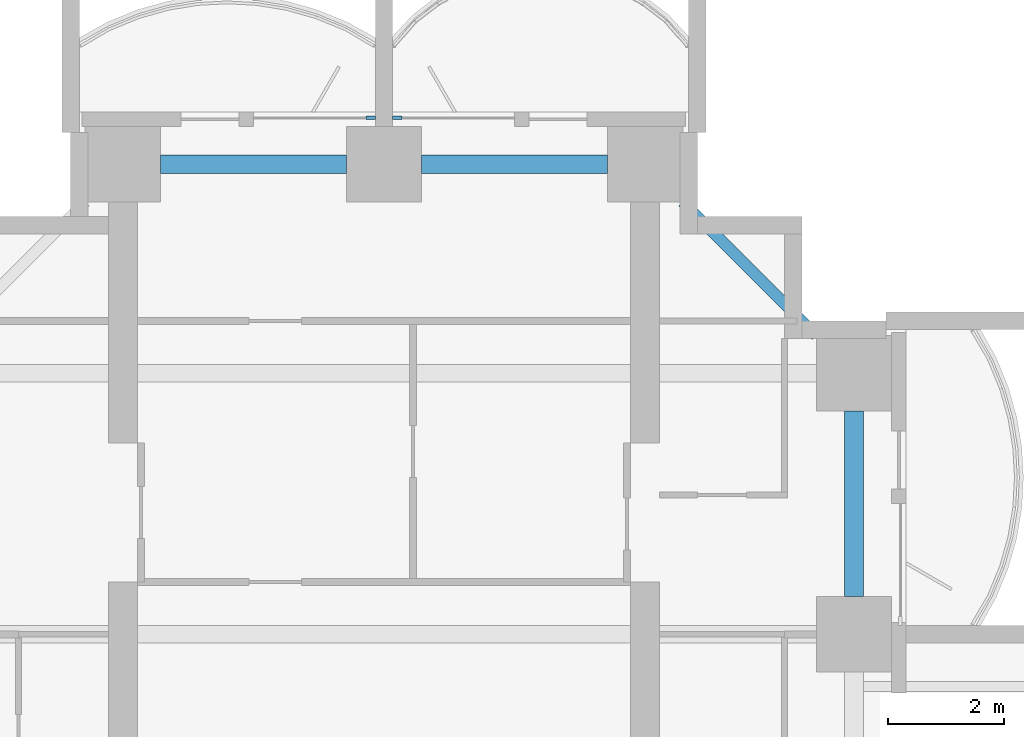
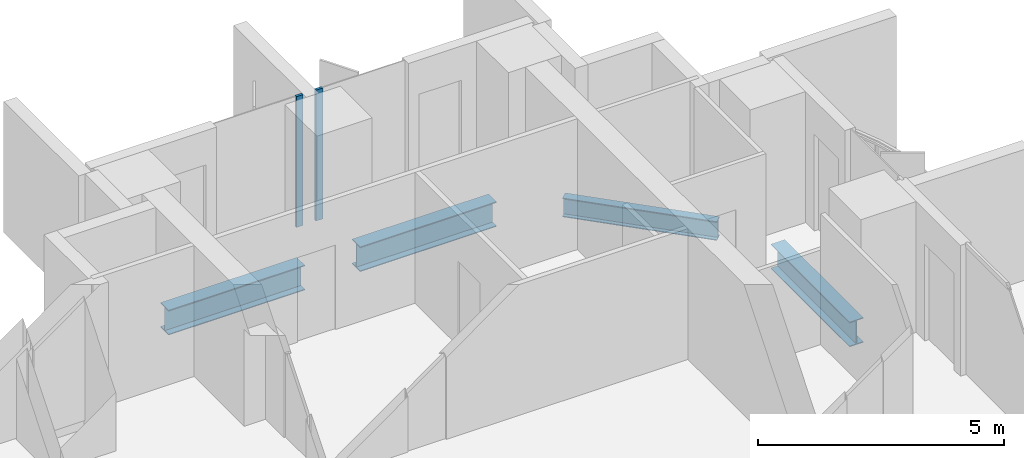
# One storey, part 8 of 23: 4 beams, 2 members, 2 elements without a shape of their own.
"""IFC4 building model written with IfcOpenShell, lengths in metres."""

from ifc_helpers import new_model, si_unit, direction, frame, origin, origin_2d, place, context, subcontext, project, spatial, rectangle, i_section, extrude, material, material_profile, profile_set, type_object, element, aggregate, save


model = new_model("IFC4")

# Units and contexts
model_context = context("Model", 3, precision=1e-05, world=origin(), true_north=direction((0.0, 1.0)))
body_context = subcontext(model_context, "Body", "Model", "MODEL_VIEW")
ifc_project = project(units=[si_unit("LENGTHUNIT", "METRE"), si_unit("AREAUNIT", "SQUARE_METRE"), si_unit("VOLUMEUNIT", "CUBIC_METRE"), si_unit("PLANEANGLEUNIT", "RADIAN"), si_unit("MASSUNIT", "GRAM", prefix="KILO")], contexts=[model_context])

# Site, building, storey
site_placement = place(None, origin())
site = spatial("IfcSite", under=ifc_project, at=site_placement, CompositionType="ELEMENT")
building_placement = place(site_placement, origin())
building = spatial("IfcBuilding", under=site, at=building_placement, Name="Perihelion Cross Residences", CompositionType="ELEMENT")
storey_placement = place(building_placement, frame((0.0, 0.0, 61.0)))
storey = spatial("IfcBuildingStorey", under=building, at=storey_placement, Name="L12", CompositionType="ELEMENT", Elevation=61.0)

# Curtain wall, member
ifc_material_1 = material(Name="Bronze anodised aluminium, tinted glazing", Category="aluminium")
curtain_wall_type = type_object("IfcCurtainWallType", Name="CW1", PredefinedType="NOTDEFINED", material=ifc_material_1)
curtain_wall_1_placement = place(storey_placement, origin())
curtain_wall_1 = element("IfcCurtainWall", 1, at=curtain_wall_1_placement, inside=storey, type_object=curtain_wall_type, Name="Curtain wall CW1 L12 north tip north bay 1", PredefinedType="NOTDEFINED")
ifc_material_2 = material(Name="Bronze anodised aluminium", Category="aluminium")
ifc_material_profile_1 = material_profile(ifc_material_2, rectangle(XDim=0.06005859375, YDim=0.159912109375, at=origin_2d()), Name="CW1 mullion")
ifc_profile_set_1 = profile_set([ifc_material_profile_1], Name="Bronze anodised aluminium")
member_type = type_object("IfcMemberType", Name="CW1 mullion", PredefinedType="MULLION", material=ifc_profile_set_1)
member_1_placement = place(storey_placement, frame((0.22998046875, 26.89990234375, 0.0), z_axis=(0.0, 0.0, 1.0), x_axis=(0.0, -1.0, 0.0)))
member_1 = element("IfcMember", 2, at=member_1_placement, type_object=member_type, Name="CW1 mullion 2", PredefinedType="MULLION", context=body_context, shape_type="SweptSolid", body=[
    extrude(rectangle(XDim=0.06005859375, YDim=0.159912109375, at=origin_2d()), origin(), (0.0, 0.0, 1.0), 3.25),
])
aggregate(curtain_wall_1, [member_1])

curtain_wall_2_placement = place(storey_placement, origin())
curtain_wall_2 = element("IfcCurtainWall", 3, at=curtain_wall_2_placement, inside=storey, type_object=curtain_wall_type, Name="Curtain wall CW1 L12 north tip north bay 2", PredefinedType="NOTDEFINED")
member_2_placement = place(storey_placement, frame((-0.22998046875, 26.89990234375, 0.0), z_axis=(0.0, 0.0, 1.0), x_axis=(0.0, -1.0, 0.0)))
member_2 = element("IfcMember", 4, at=member_2_placement, type_object=member_type, Name="CW1 mullion 1", PredefinedType="MULLION", context=body_context, shape_type="SweptSolid", body=[
    extrude(rectangle(XDim=0.06005859375, YDim=0.159912109375, at=origin_2d()), origin(), (0.0, 0.0, 1.0), 3.25),
])
aggregate(curtain_wall_2, [member_2])

# Beams
ifc_material_3 = material(Name="Steel S355", Category="steel")
ifc_material_profile_2 = material_profile(ifc_material_3, i_section(OverallWidth=0.324951171875, OverallDepth=0.616943359375, WebThickness=0.013916015625, FlangeThickness=0.021484375, at=origin_2d()), Name="W610x174")
ifc_profile_set_2 = profile_set([ifc_material_profile_2], Name="Steel S355")
beam_type_1 = type_object("IfcBeamType", Name="Edge beam W610x174", PredefinedType="SPANDREL", material=ifc_profile_set_2)
for number, where, z_axis, x_axis, name in (
    (5, (8.10009765625, 18.64990234375, -0.55859375), (0.0, 1.0, 0.0), (-1.0, 0.0, 0.0), "Edge beam SB2 L12 no. 19"),
    (6, (3.85009765625, 26.10009765625, -0.55859375), (-1.0, 0.0, 0.0), (0.0, -1.0, 0.0), "Edge beam SB2 L12 no. 15"),
    (7, (-0.64990234375, 26.10009765625, -0.55859375), (-1.0, 0.0, 0.0), (0.0, -1.0, 0.0), "Edge beam SB2 L12 no. 11"),
):
    element("IfcBeam", number, at=place(storey_placement, frame(where, z_axis=z_axis, x_axis=x_axis)), inside=storey, type_object=beam_type_1, Name=name, PredefinedType="SPANDREL", context=body_context, shape_type="SweptSolid", body=[
        extrude(i_section(OverallWidth=0.324951171875, OverallDepth=0.616943359375, WebThickness=0.013916015625, FlangeThickness=0.021484375, at=origin_2d()), origin(), (0.0, 0.0, 1.0), 3.2001953125),
    ])
ifc_material_4 = material(Name="Steel S355", Category="steel")
ifc_material_profile_3 = material_profile(ifc_material_4, i_section(OverallWidth=0.194091796875, OverallDepth=0.469970703125, WebThickness=0.0126953125, FlangeThickness=0.0205078125, at=origin_2d()), Name="W460x106")
ifc_profile_set_3 = profile_set([ifc_material_profile_3], Name="Steel S355")
beam_type_2 = type_object("IfcBeamType", Name="Serration edge beam W460x106", PredefinedType="BEAM", material=ifc_profile_set_3)
beam_placement = place(storey_placement, frame((7.449951171875, 23.14990234375, -0.485107421875), z_axis=(-0.707106781187, 0.707106781187, 0.0), x_axis=(-0.707106781187, -0.707106781187, 0.0)))
element("IfcBeam", 8, at=beam_placement, inside=storey, type_object=beam_type_2, Name="Serration edge beam EB2 L12 no. 4", PredefinedType="BEAM", context=body_context, shape_type="SweptSolid", body=[
    extrude(i_section(OverallWidth=0.194091796875, OverallDepth=0.469970703125, WebThickness=0.0126953125, FlangeThickness=0.0205078125, at=origin_2d()), origin(), (0.0, 0.0, 1.0), 3.252685546875),
])

save(model, "model.ifc")
